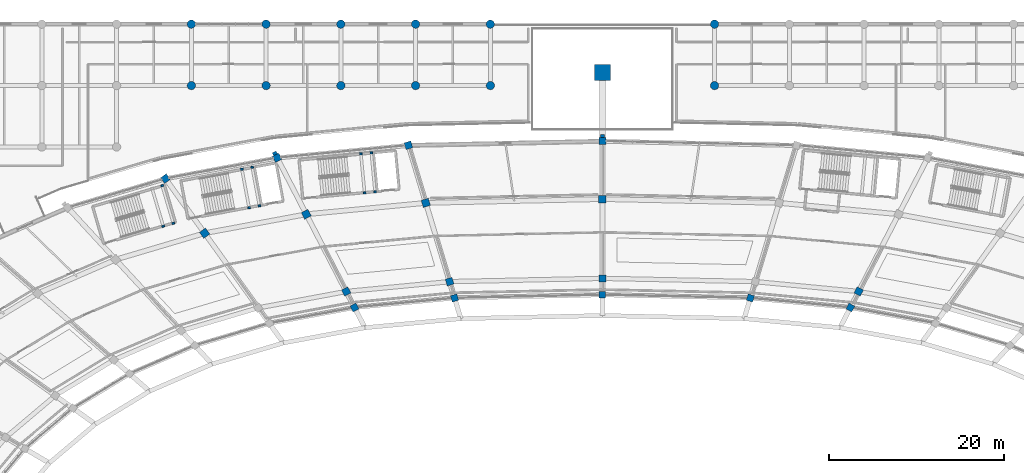
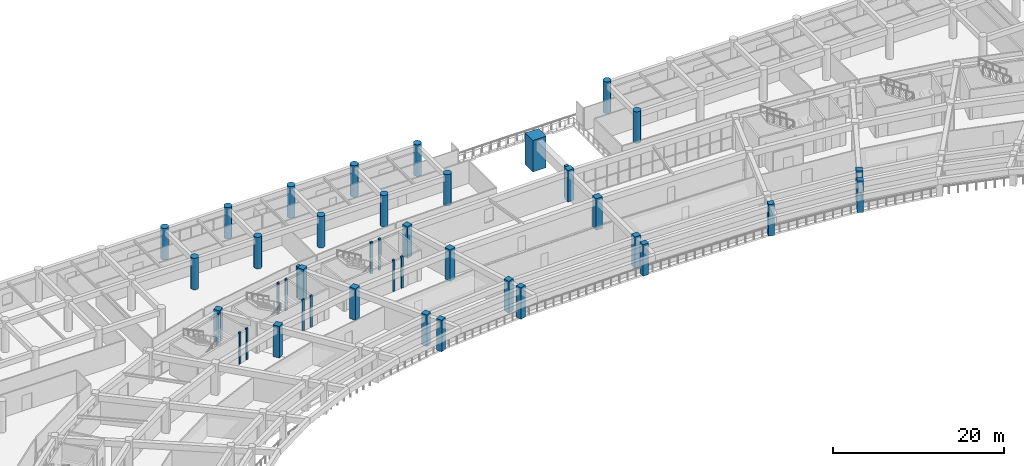
# One storey, part 8 of 145: 43 columns.
"""IFC4 building model written with IfcOpenShell, lengths in metres."""

from ifc_helpers import new_model, si_unit, direction, frame, origin, origin_2d, place, context, subcontext, project, spatial, rectangle, circle, extrude, material, material_profile, profile_set, type_object, element, save


model = new_model("IFC4")

# Units and contexts
model_context = context("Model", 3, precision=1e-05, world=origin(), true_north=direction((0.0, 1.0)))
body_context = subcontext(model_context, "Body", "Model", "MODEL_VIEW")
ifc_project = project(units=[si_unit("LENGTHUNIT", "METRE"), si_unit("AREAUNIT", "SQUARE_METRE"), si_unit("VOLUMEUNIT", "CUBIC_METRE"), si_unit("PLANEANGLEUNIT", "RADIAN"), si_unit("MASSUNIT", "GRAM", prefix="KILO")], contexts=[model_context])

# Site, building, storey
site_placement = place(None, origin())
site = spatial("IfcSite", under=ifc_project, at=site_placement, CompositionType="ELEMENT")
building_placement = place(site_placement, origin())
building = spatial("IfcBuilding", under=site, at=building_placement, Name="Mphavela Belvedere Stadium", CompositionType="ELEMENT")
storey_placement = place(building_placement, frame((0.0, 0.0, 10.199951171875)))
storey = spatial("IfcBuildingStorey", under=building, at=storey_placement, Name="L02", CompositionType="ELEMENT", Elevation=10.199951171875)

# Columns
ifc_material_1 = material(Name="Concrete C40/50", Category="concrete")
ifc_material_profile_1 = material_profile(ifc_material_1, rectangle(XDim=0.300048828125, YDim=0.219970703125, at=origin_2d()), Name="RC 300x220")
ifc_profile_set_1 = profile_set([ifc_material_profile_1], Name="Concrete C40/50")
column_type_1 = type_object("IfcColumnType", Name="COL-CORE-POST-300", PredefinedType="COLUMN", material=ifc_profile_set_1)
for number, where, z_axis, x_axis, name in (
    (1, (74.728515625, 153.078125, 0.0), (0.0, 0.0, 1.0), (0.983095502692, 0.183093507769, 0.0), "Core C02 stair frame column L02-1"),
    (2, (75.908203125, 153.2978515625, 0.0), (0.0, 0.0, 1.0), (0.983095502692, 0.183093507769, 0.0), "Core C02 stair frame column L02-2"),
    (3, (75.08984375, 157.6923828125, 0.0), (0.0, 0.0, 1.0), (0.983095502692, 0.183093507769, 0.0), "Core C02 stair frame column L02-3"),
    (4, (73.91015625, 157.47265625, 0.0), (0.0, 0.0, 1.0), (0.983095502692, 0.183093507769, 0.0), "Core C02 stair frame column L02-4"),
    (5, (87.893798828125, 154.77294921875, 0.0), (0.0, 0.0, 1.0), (0.995479460536, 0.094977069084, 0.0), "Core C04 stair frame column L02-1"),
    (6, (89.08837890625, 154.886962890625, 0.0), (0.0, 0.0, 1.0), (0.995479460536, 0.094977069084, 0.0), "Core C04 stair frame column L02-2"),
    (7, (88.663818359375, 159.3369140625, 0.0), (0.0, 0.0, 1.0), (0.995479460536, 0.094977069084, 0.0), "Core C04 stair frame column L02-3"),
    (8, (87.46923828125, 159.222900390625, 0.0), (0.0, 0.0, 1.0), (0.995479460536, 0.094977069084, 0.0), "Core C04 stair frame column L02-4"),
    (9, (64.94580078125, 150.971923828125, 0.0), (0.0, 0.0, 1.0), (0.958670893355, 0.284517342588, 0.0), "Core P03 stair frame column L02-1"),
    (10, (66.09619140625, 151.313232421875, 0.0), (0.0, 0.0, 1.0), (0.958670893355, 0.284517342588, 0.0), "Core P03 stair frame column L02-2"),
    (11, (64.824462890625, 155.5986328125, 0.0), (0.0, 0.0, 1.0), (0.958670893355, 0.284517342588, 0.0), "Core P03 stair frame column L02-3"),
):
    element("IfcColumn", number, at=place(storey_placement, frame(where, z_axis=z_axis, x_axis=x_axis)), inside=storey, type_object=column_type_1, Name=name, PredefinedType="COLUMN", context=body_context, shape_type="SweptSolid", body=[
        extrude(rectangle(XDim=0.300048828125, YDim=0.219970703125, at=origin_2d()), origin(), (0.0, 0.0, 1.0), 4.5),
    ])
ifc_material_2 = material(Name="Concrete C40/50", Category="concrete")
ifc_material_profile_2 = material_profile(ifc_material_2, circle(Radius=0.47509765625, at=origin_2d()), Name="COL D950")
ifc_profile_set_2 = profile_set([ifc_material_profile_2], Name="Concrete C40/50")
column_type_2 = type_object("IfcColumnType", Name="COL-DORIC-950", PredefinedType="COLUMN", material=ifc_profile_set_2)
for number, where, z_axis, x_axis, name in (
    (12, (68.14794921875, 167.0, 0.0), (0.0, 0.0, 1.0), (1.0, 0.0, 0.0), "North Mast and Ceremonial End Forecourt classical column L02 9-7"),
    (13, (68.14794921875, 174.0, 0.0), (0.0, 0.0, 1.0), (1.0, 0.0, 0.0), "North Mast and Ceremonial End Forecourt classical column L02 9-8"),
    (14, (76.6669921875, 167.0, 0.0), (0.0, 0.0, 1.0), (1.0, 0.0, 0.0), "North Mast and Ceremonial End Forecourt classical column L02 10-7"),
    (15, (76.6669921875, 174.0, 0.0), (0.0, 0.0, 1.0), (1.0, 0.0, 0.0), "North Mast and Ceremonial End Forecourt classical column L02 10-8"),
    (16, (85.18505859375, 167.0, 0.0), (0.0, 0.0, 1.0), (1.0, 0.0, 0.0), "North Mast and Ceremonial End Forecourt classical column L02 11-7"),
    (17, (85.18505859375, 174.0, 0.0), (0.0, 0.0, 1.0), (1.0, 0.0, 0.0), "North Mast and Ceremonial End Forecourt classical column L02 11-8"),
    (18, (93.7041015625, 167.0, 0.0), (0.0, 0.0, 1.0), (1.0, 0.0, 0.0), "North Mast and Ceremonial End Forecourt classical column L02 12-7"),
    (19, (93.7041015625, 174.0, 0.0), (0.0, 0.0, 1.0), (1.0, 0.0, 0.0), "North Mast and Ceremonial End Forecourt classical column L02 12-8"),
    (20, (102.221923828125, 167.0, 0.0), (0.0, 0.0, 1.0), (1.0, 0.0, 0.0), "North Mast and Ceremonial End Forecourt classical column L02 13-7"),
    (21, (102.221923828125, 174.0, 0.0), (0.0, 0.0, 1.0), (1.0, 0.0, 0.0), "North Mast and Ceremonial End Forecourt classical column L02 13-8"),
    (22, (127.778076171875, 167.0, 0.0), (0.0, 0.0, 1.0), (1.0, 0.0, 0.0), "North Mast and Ceremonial End Forecourt classical column L02 16-7"),
    (23, (127.778076171875, 174.0, 0.0), (0.0, 0.0, 1.0), (1.0, 0.0, 0.0), "North Mast and Ceremonial End Forecourt classical column L02 16-8"),
):
    element("IfcColumn", number, at=place(storey_placement, frame(where, z_axis=z_axis, x_axis=x_axis)), inside=storey, type_object=column_type_2, Name=name, PredefinedType="COLUMN", context=body_context, shape_type="SweptSolid", body=[
        extrude(circle(Radius=0.47509765625, at=origin_2d()), origin(), (0.0, 0.0, 1.0), 4.5),
    ])
ifc_material_3 = material(Name="Concrete C50/60", Category="concrete")
ifc_material_profile_3 = material_profile(ifc_material_3, rectangle(XDim=1.800048828125, YDim=1.800048828125, at=origin_2d()), Name="RC 1800x1800")
ifc_profile_set_3 = profile_set([ifc_material_profile_3], Name="Concrete C50/60")
column_type_3 = type_object("IfcColumnType", Name="COL-MAST-PIER", PredefinedType="COLUMN", material=ifc_profile_set_3)
column_placement = place(storey_placement, frame((115.0, 168.5, 0.0), z_axis=(0.0, 0.0, 1.0), x_axis=(1.0, 0.0, 0.0)))
element("IfcColumn", 24, at=column_placement, inside=storey, type_object=column_type_3, Name="North mast buttress pier L02 MP-1", PredefinedType="COLUMN", context=body_context, shape_type="SweptSolid", body=[
    extrude(rectangle(XDim=1.800048828125, YDim=1.800048828125, at=origin_2d()), origin(), (0.0, 0.0, 1.0), 4.5),
])
ifc_material_4 = material(Name="Concrete C40/50", Category="concrete")
ifc_material_profile_4 = material_profile(ifc_material_4, rectangle(XDim=0.75, YDim=0.75, at=origin_2d()), Name="RC 750x750")
ifc_profile_set_4 = profile_set([ifc_material_profile_4], Name="Concrete C40/50")
column_type_4 = type_object("IfcColumnType", Name="COL-RC750", PredefinedType="COLUMN", material=ifc_profile_set_4)
for number, where, z_axis, x_axis, name in (
    (25, (143.25927734375, 141.705810546875, 0.0), (0.0, 0.0, 1.0), (0.458959712465, 0.888457079624, 0.0), "Inner concourse column L02 R1-11"),
    (26, (131.857177734375, 142.79296875, 0.0), (0.0, 0.0, 1.0), (0.289198876314, 0.957269037387, 0.0), "Inner concourse column L02 R1-12"),
    (27, (115.0, 143.156005859375, 0.0), (0.0, 0.0, 1.0), (0.0, 1.0, 0.0), "Inner concourse column L02 R1-13"),
    (28, (98.142822265625, 142.79296875, 0.0), (0.0, 0.0, 1.0), (-0.289198876314, 0.957269037387, 0.0), "Inner concourse column L02 R1-14"),
    (29, (86.74072265625, 141.705810546875, 0.0), (0.0, 0.0, 1.0), (-0.458959712465, 0.888457079624, 0.0), "Inner concourse column L02 R1-15"),
):
    element("IfcColumn", number, at=place(storey_placement, frame(where, z_axis=z_axis, x_axis=x_axis)), inside=storey, type_object=column_type_4, Name=name, PredefinedType="COLUMN", context=body_context, shape_type="SweptSolid", body=[
        extrude(rectangle(XDim=0.75, YDim=0.75, at=origin_2d()), origin(), (0.0, 0.0, 1.0), 4.5),
    ])
ifc_material_5 = material(Name="Concrete C40/50", Category="concrete")
ifc_material_profile_5 = material_profile(ifc_material_5, rectangle(XDim=0.800048828125, YDim=0.800048828125, at=origin_2d()), Name="RC 800x800")
ifc_profile_set_5 = profile_set([ifc_material_profile_5], Name="Concrete C40/50")
column_type_5 = type_object("IfcColumnType", Name="COL-RC800", PredefinedType="COLUMN", material=ifc_profile_set_5)
for number, where, z_axis, x_axis, name in (
    (30, (144.20361328125, 143.53369140625, 0.0), (0.0, 0.0, 1.0), (0.458959712465, 0.888457079624, 0.0), "Middle concourse column L02 R2-11"),
    (31, (115.0, 145.032470703125, 0.0), (0.0, 0.0, 1.0), (0.0, 1.0, 0.0), "Middle concourse column L02 R2-13"),
    (32, (115.0, 160.669921875, 0.0), (0.0, 0.0, 1.0), (0.0, 1.0, 0.0), "Outer colonnade column L02 R4-13"),
    (33, (97.57958984375, 144.657470703125, 0.0), (0.0, 0.0, 1.0), (-0.289198876314, 0.957269037387, 0.0), "Middle concourse column L02 R2-14"),
    (34, (92.885498046875, 160.19384765625, 0.0), (0.0, 0.0, 1.0), (-0.289198876314, 0.957269037387, 0.0), "Outer colonnade column L02 R4-14"),
    (35, (85.79638671875, 143.53369140625, 0.0), (0.0, 0.0, 1.0), (-0.458959712465, 0.888457079624, 0.0), "Middle concourse column L02 R2-15"),
    (36, (77.92724609375, 158.767333984375, 0.0), (0.0, 0.0, 1.0), (-0.458959712465, 0.888457079624, 0.0), "Outer colonnade column L02 R4-15"),
    (37, (65.19873046875, 156.39697265625, 0.0), (0.0, 0.0, 1.0), (-0.582974127943, 0.812490717577, 0.0), "Outer colonnade column L02 R4-16"),
):
    element("IfcColumn", number, at=place(storey_placement, frame(where, z_axis=z_axis, x_axis=x_axis)), inside=storey, type_object=column_type_5, Name=name, PredefinedType="COLUMN", context=body_context, shape_type="SweptSolid", body=[
        extrude(rectangle(XDim=0.800048828125, YDim=0.800048828125, at=origin_2d()), origin(), (0.0, 0.0, 1.0), 4.5),
    ])
ifc_material_6 = material(Name="Concrete C40/50", Category="concrete")
ifc_material_profile_6 = material_profile(ifc_material_6, rectangle(XDim=0.85009765625, YDim=0.85009765625, at=origin_2d()), Name="RC 850x850")
ifc_profile_set_6 = profile_set([ifc_material_profile_6], Name="Concrete C40/50")
column_type_6 = type_object("IfcColumnType", Name="COL-RC850", PredefinedType="COLUMN", material=ifc_profile_set_6)
for number, where, z_axis, x_axis, name in (
    (38, (115.0, 154.0673828125, 0.0), (0.0, 0.0, 1.0), (0.0, 1.0, 0.0), "Main bowl column L02 R3-13"),
    (39, (94.8671875, 153.634033203125, 0.0), (0.0, 0.0, 1.0), (-0.289198876314, 0.957269037387, 0.0), "Main bowl column L02 R3-14"),
    (40, (81.249755859375, 152.33544921875, 0.0), (0.0, 0.0, 1.0), (-0.458959712465, 0.888457079624, 0.0), "Main bowl column L02 R3-15"),
    (41, (69.662109375, 150.177490234375, 0.0), (0.0, 0.0, 1.0), (-0.582974127943, 0.812490717577, 0.0), "Main bowl column L02 R3-16"),
):
    element("IfcColumn", number, at=place(storey_placement, frame(where, z_axis=z_axis, x_axis=x_axis)), inside=storey, type_object=column_type_6, Name=name, PredefinedType="COLUMN", context=body_context, shape_type="SweptSolid", body=[
        extrude(rectangle(XDim=0.85009765625, YDim=0.85009765625, at=origin_2d()), origin(), (0.0, 0.0, 1.0), 4.5),
    ])
ifc_material_7 = material(Name="Concrete C40/50", Category="concrete")
ifc_material_profile_7 = material_profile(ifc_material_7, rectangle(XDim=0.5, YDim=0.35009765625, at=origin_2d()), Name="PIL 500x350")
ifc_profile_set_7 = profile_set([ifc_material_profile_7], Name="Concrete C40/50")
column_type_7 = type_object("IfcColumnType", Name="PIL-FLUTED-500", PredefinedType="PILASTER", material=ifc_profile_set_7)
for number, where, z_axis, x_axis, name in (
    (42, (115.0, 161.248046875, 0.0), (0.0, 0.0, 1.0), (-1.0, 0.0, 0.0), "Fluted classical pilaster L02-13"),
    (43, (77.661865234375, 159.281005859375, 0.0), (0.0, 0.0, 1.0), (-0.888457079624, -0.458959712465, 0.0), "Fluted classical pilaster L02-15"),
):
    element("IfcColumn", number, at=place(storey_placement, frame(where, z_axis=z_axis, x_axis=x_axis)), inside=storey, type_object=column_type_7, Name=name, PredefinedType="PILASTER", context=body_context, shape_type="SweptSolid", body=[
        extrude(rectangle(XDim=0.5, YDim=0.35009765625, at=origin_2d()), origin(), (0.0, 0.0, 1.0), 4.5),
    ])

save(model, "model.ifc")
